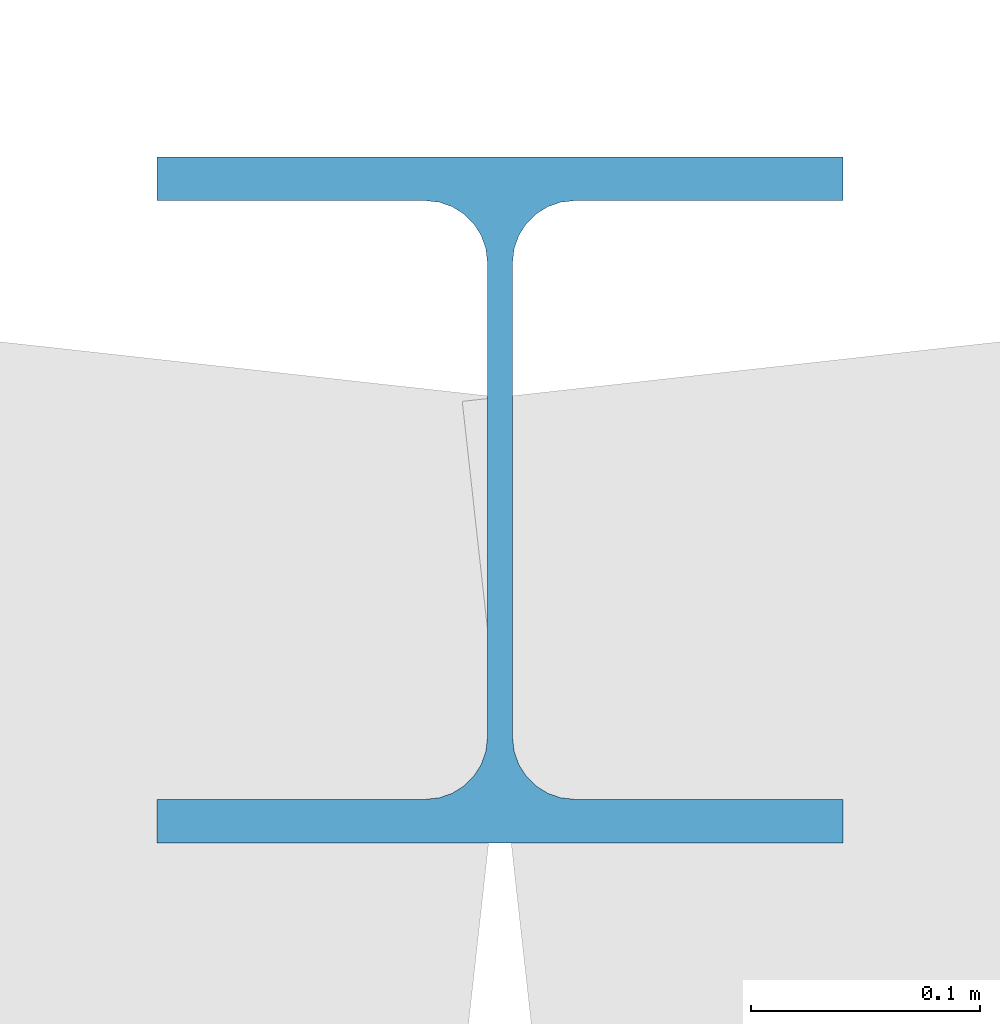
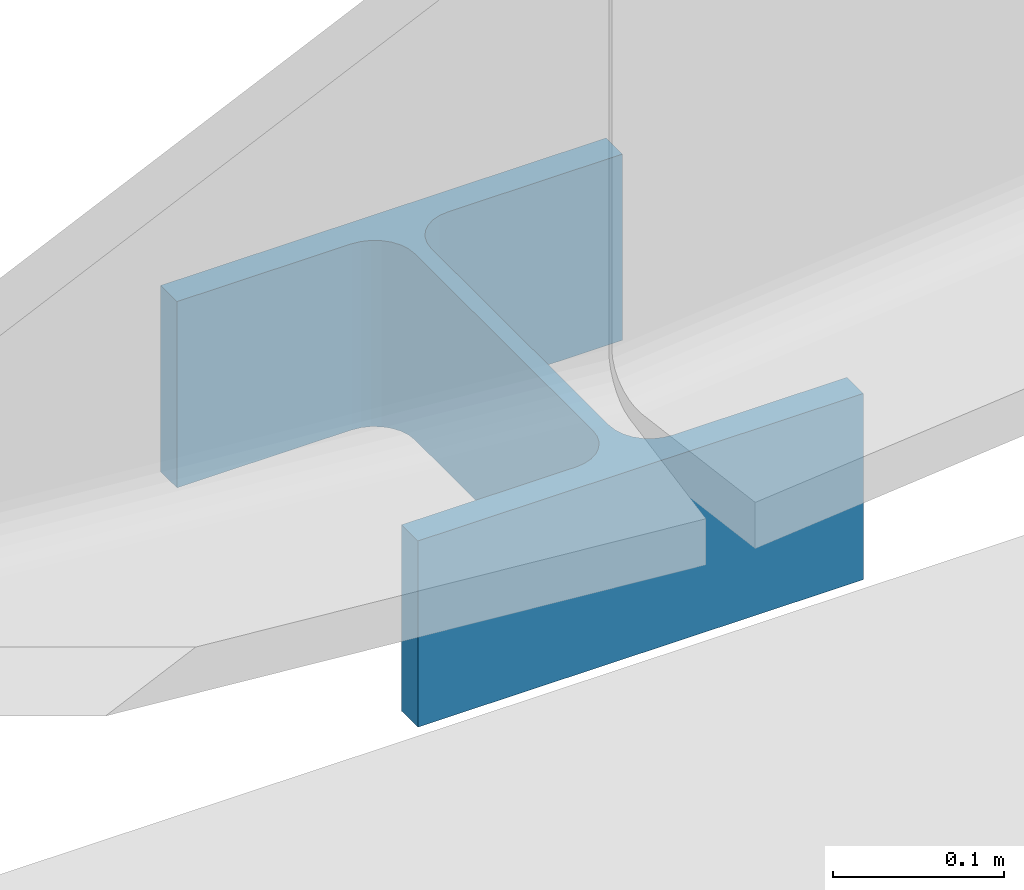
# One storey, part 4 of 17: 1 column.
"""IFC4 building model written with IfcOpenShell, lengths in metres."""

from ifc_helpers import new_model, si_unit, direction, frame, origin, origin_2d, place, context, subcontext, project, spatial, i_section, extrude, material, material_profile, profile_set, type_object, element, save


model = new_model("IFC4")

# Units and contexts
model_context = context("Model", 3, precision=1e-05, world=origin(), true_north=direction((0.0, 1.0)))
body_context = subcontext(model_context, "Body", "Model", "MODEL_VIEW")
ifc_project = project(units=[si_unit("LENGTHUNIT", "METRE"), si_unit("AREAUNIT", "SQUARE_METRE"), si_unit("VOLUMEUNIT", "CUBIC_METRE"), si_unit("PLANEANGLEUNIT", "RADIAN"), si_unit("MASSUNIT", "GRAM", prefix="KILO")], contexts=[model_context])

# Site, building, storey
site_placement = place(None, origin())
site = spatial("IfcSite", under=ifc_project, at=site_placement, CompositionType="ELEMENT")
building_placement = place(site_placement, origin())
building = spatial("IfcBuilding", under=site, at=building_placement, Name="Verdant Reach Tower", CompositionType="ELEMENT")
storey_placement = place(building_placement, frame((0.0, 0.0, 114.0)))
storey = spatial("IfcBuildingStorey", under=building, at=storey_placement, Name="L26 Plant", CompositionType="ELEMENT", Elevation=114.0)

# Column
ifc_material = material(Name="Steel S460", Category="steel")
ifc_material_profile = material_profile(ifc_material, i_section(OverallWidth=0.300048828125, OverallDepth=0.300048828125, WebThickness=0.010986328125, FlangeThickness=0.01904296875, FilletRadius=0.027099609375, at=origin_2d()), Name="HEB 300")
ifc_profile_set = profile_set([ifc_material_profile], Name="Steel S460")
column_type = type_object("IfcColumnType", Name="ST-NODE-SEAT-HEB300", PredefinedType="COLUMN", material=ifc_profile_set)
column_placement = place(storey_placement, frame((0.0, 58.51025390625, 5.9375), z_axis=(0.0, 0.0, 1.0), x_axis=(1.0, 0.0, 0.0)))
element("IfcColumn", 1, at=column_placement, inside=storey, type_object=column_type, Name="Seat post, mega column M-N, L26 Plant", PredefinedType="COLUMN", context=body_context, shape_type="SweptSolid", body=[
    extrude(i_section(OverallWidth=0.300048828125, OverallDepth=0.300048828125, WebThickness=0.010986328125, FlangeThickness=0.01904296875, FilletRadius=0.027099609375, at=origin_2d()), origin(), (0.0, 0.0, 1.0), 0.132568359375),
])

save(model, "model.ifc")
